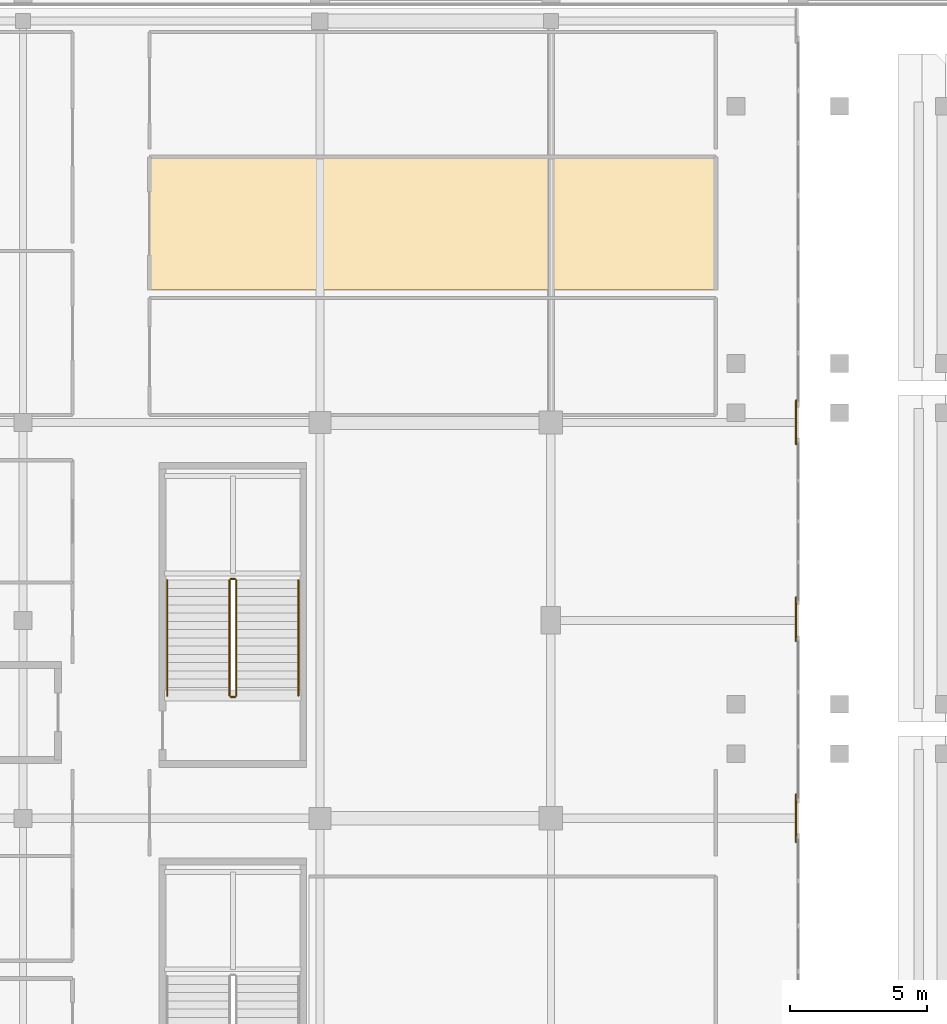
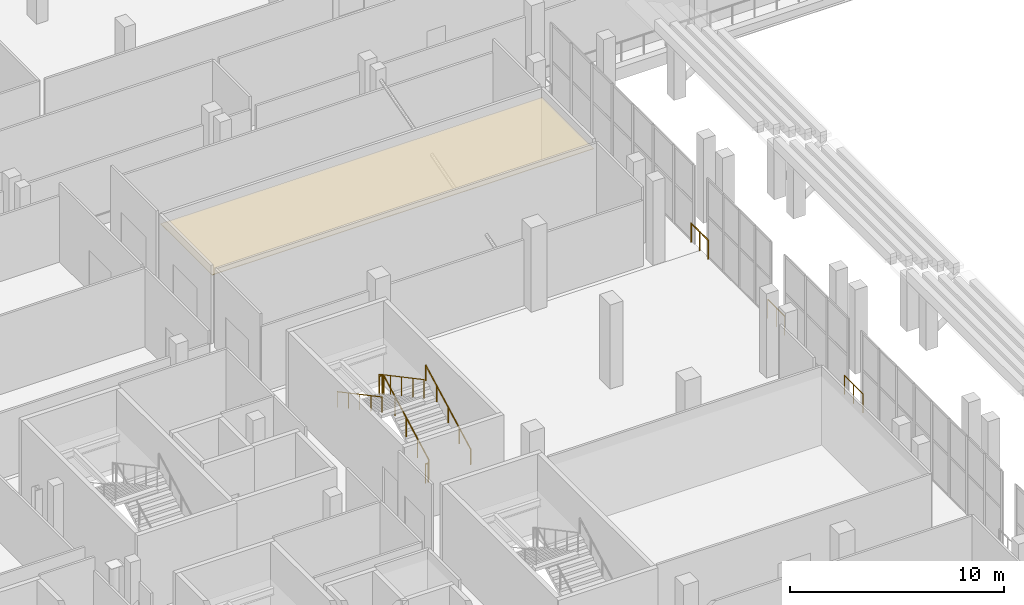
# One storey, part 125 of 142: 10 railings, 1 covering.
"""IFC4 building model written with IfcOpenShell, lengths in metres."""

from ifc_helpers import new_model, si_unit, direction, frame, origin, origin_2d, place, context, subcontext, project, spatial, polyline, circle, outline, extrude, material, layer, layer_set, type_object, element, save


model = new_model("IFC4")

# Units and contexts
model_context = context("Model", 3, precision=1e-05, world=origin(), true_north=direction((0.0, 1.0)))
body_context = subcontext(model_context, "Body", "Model", "MODEL_VIEW")
ifc_project = project(units=[si_unit("LENGTHUNIT", "METRE"), si_unit("AREAUNIT", "SQUARE_METRE"), si_unit("VOLUMEUNIT", "CUBIC_METRE"), si_unit("PLANEANGLEUNIT", "RADIAN"), si_unit("MASSUNIT", "GRAM", prefix="KILO")], contexts=[model_context])

# Site, building, storey
site_placement = place(None, origin())
site = spatial("IfcSite", under=ifc_project, at=site_placement, CompositionType="ELEMENT")
building_placement = place(site_placement, origin())
building = spatial("IfcBuilding", under=site, at=building_placement, Name="Koshinbarg Plaza Stadium", CompositionType="ELEMENT")
storey_placement = place(building_placement, frame((0.0, 0.0, 10.199951171875)))
storey = spatial("IfcBuildingStorey", under=building, at=storey_placement, Name="L02", CompositionType="ELEMENT", Elevation=10.199951171875)

# Covering
ifc_material_1 = material(Name="Perforated gypsum acoustic ceiling board")
ifc_layer = layer(ifc_material_1, 0.030029296875)
ifc_layer_set = layer_set([ifc_layer], Name="Perforated gypsum acoustic ceiling board")
covering_type = type_object("IfcCoveringType", Name="COV-CEIL-01", PredefinedType="CEILING", material=ifc_layer_set)
covering_placement = place(storey_placement, frame((0.0, 0.0, 3.89013671875)))
element("IfcCovering", 1, at=covering_placement, inside=storey, type_object=covering_type, Name="L02 VIP Hospitality Suite acoustic ceiling 024", PredefinedType="CEILING", context=body_context, shape_type="SweptSolid", body=[
    extrude(outline(polyline([(40.0, 116.72509765625), (60.60009765625, 116.72509765625), (60.60009765625, 121.5498046875), (40.0, 121.5498046875), (40.0, 116.72509765625)])), origin(), (0.0, 0.0, 1.0), 0.030029296875),
])

# Railings
ifc_material_2 = material(Name="Toughened laminated glass and stainless steel sightline balustrade", Category="steel")
railing_type_1 = type_object("IfcRailingType", Name="RL-BOWL-1100", PredefinedType="BALUSTRADE", material=ifc_material_2)
railing_1_placement = place(storey_placement, frame((63.52001953125, 111.89990234375, 0.0)))
element("IfcRailing", 2, at=railing_1_placement, inside=storey, type_object=railing_type_1, Name="L02 deck edge safety balustrade 0122", PredefinedType="BALUSTRADE", context=body_context, shape_type="SweptSolid", body=[
    extrude(circle(Radius=0.02392578125, at=origin_2d()), frame((0.0, 0.0, 1.076171875), z_axis=(0.0, -1.0, 0.0), x_axis=(1.0, 0.0, 0.0)), (0.0, 0.0, 1.0), 0.796875),
    extrude(circle(Radius=0.02099609375, at=origin_2d()), origin(), (0.0, 0.0, 1.0), 1.052001953125),
    extrude(circle(Radius=0.02099609375, at=origin_2d()), frame((0.0, -0.796875, 0.0)), (0.0, 0.0, 1.0), 1.052001953125),
])
railing_2_placement = place(storey_placement, frame((63.52001953125, 105.5341796875, 0.0)))
element("IfcRailing", 3, at=railing_2_placement, inside=storey, type_object=railing_type_1, Name="L02 deck edge safety balustrade 0123", PredefinedType="BALUSTRADE", context=body_context, shape_type="SweptSolid", body=[
    extrude(circle(Radius=0.02392578125, at=origin_2d()), frame((0.0, 0.0, 1.076171875), z_axis=(0.0, -1.0, 0.0), x_axis=(1.0, 0.0, 0.0)), (0.0, 0.0, 1.0), 1.59375),
    extrude(circle(Radius=0.02099609375, at=origin_2d()), origin(), (0.0, 0.0, 1.0), 1.052001953125),
    extrude(circle(Radius=0.02099609375, at=origin_2d()), frame((0.0, -0.796875, 0.0)), (0.0, 0.0, 1.0), 1.052001953125),
    extrude(circle(Radius=0.02099609375, at=origin_2d()), frame((0.0, -1.59375, 0.0)), (0.0, 0.0, 1.0), 1.052001953125),
])
railing_3_placement = place(storey_placement, frame((63.52001953125, 98.37158203125, 0.0)))
element("IfcRailing", 4, at=railing_3_placement, inside=storey, type_object=railing_type_1, Name="L02 deck edge safety balustrade 0124", PredefinedType="BALUSTRADE", context=body_context, shape_type="SweptSolid", body=[
    extrude(circle(Radius=0.02392578125, at=origin_2d()), frame((0.0, 0.0, 1.076171875), z_axis=(0.0, -1.0, 0.0), x_axis=(1.0, 0.0, 0.0)), (0.0, 0.0, 1.0), 1.7431640625),
    extrude(circle(Radius=0.02099609375, at=origin_2d()), origin(), (0.0, 0.0, 1.0), 1.052001953125),
    extrude(circle(Radius=0.02099609375, at=origin_2d()), frame((0.0, -0.87158203125, 0.0)), (0.0, 0.0, 1.0), 1.052001953125),
    extrude(circle(Radius=0.02099609375, at=origin_2d()), frame((0.0, -1.7431640625, 0.0)), (0.0, 0.0, 1.0), 1.052001953125),
])
railing_4_placement = place(storey_placement, frame((63.52001953125, 112.6962890625, 0.0)))
element("IfcRailing", 5, at=railing_4_placement, inside=storey, type_object=railing_type_1, Name="L02 deck edge safety balustrade 0127", PredefinedType="BALUSTRADE", context=body_context, shape_type="SweptSolid", body=[
    extrude(circle(Radius=0.02392578125, at=origin_2d()), frame((0.0, 0.0, 1.076171875), z_axis=(0.0, -1.0, 0.0), x_axis=(1.0, 0.0, 0.0)), (0.0, 0.0, 1.0), 0.79638671875),
    extrude(circle(Radius=0.02099609375, at=origin_2d()), origin(), (0.0, 0.0, 1.0), 1.052001953125),
    extrude(circle(Radius=0.02099609375, at=origin_2d()), frame((0.0, -0.79638671875, 0.0)), (0.0, 0.0, 1.0), 1.052001953125),
])
ifc_material_3 = material(Name="Galvanized painted steel guardrail", Category="steel")
railing_type_2 = type_object("IfcRailingType", Name="RL-GUARD-1100", PredefinedType="GUARDRAIL", material=ifc_material_3)
railing_5_placement = place(storey_placement, frame((43.159912109375, 101.9599609375, 0.16015625)))
element("IfcRailing", 6, at=railing_5_placement, inside=storey, type_object=railing_type_2, Name="L02 VX06 stair guard 1", PredefinedType="GUARDRAIL", context=body_context, shape_type="SweptSolid", body=[
    extrude(circle(Radius=0.02392578125, at=origin_2d()), frame((0.0, 0.0, 1.076171875), z_axis=(0.0, 0.882351521365, 0.470590897432), x_axis=(-1.0, 0.0, 0.0)), (0.0, 0.0, 1.0), 4.760009765625),
    extrude(circle(Radius=0.02099609375, at=origin_2d()), origin(), (0.0, 0.0, 1.0), 1.052001953125),
    extrude(circle(Radius=0.02099609375, at=origin_2d()), frame((0.0, 1.050048828125, 0.56005859375)), (0.0, 0.0, 1.0), 1.052001953125),
    extrude(circle(Radius=0.02099609375, at=origin_2d()), frame((0.0, 2.10009765625, 1.1201171875)), (0.0, 0.0, 1.0), 1.052001953125),
    extrude(circle(Radius=0.02099609375, at=origin_2d()), frame((0.0, 3.14990234375, 1.679931640625)), (0.0, 0.0, 1.0), 1.052001953125),
    extrude(circle(Radius=0.02099609375, at=origin_2d()), frame((0.0, 4.199951171875, 2.239990234375)), (0.0, 0.0, 1.0), 1.052001953125),
])
railing_6_placement = place(storey_placement, frame((43.110107421875, 106.2099609375, 2.400146484375)))
element("IfcRailing", 7, at=railing_6_placement, inside=storey, type_object=railing_type_2, Name="L02 VX06 stair guard 2", PredefinedType="GUARDRAIL", context=body_context, shape_type="SweptSolid", body=[
    extrude(circle(Radius=0.02392578125, at=origin_2d()), frame((0.0, 0.0, 1.076171875), z_axis=(-1.0, 0.0, 0.0), x_axis=(0.0, -1.0, 0.0)), (0.0, 0.0, 1.0), 0.150146484375),
    extrude(circle(Radius=0.02099609375, at=origin_2d()), origin(), (0.0, 0.0, 1.0), 1.052001953125),
    extrude(circle(Radius=0.02099609375, at=origin_2d()), frame((-0.150146484375, 0.0, 0.0)), (0.0, 0.0, 1.0), 1.052001953125),
])
railing_7_placement = place(storey_placement, frame((42.909912109375, 106.159912109375, 2.56005859375)))
element("IfcRailing", 8, at=railing_7_placement, inside=storey, type_object=railing_type_2, Name="L02 VX06 stair guard 3", PredefinedType="GUARDRAIL", context=body_context, shape_type="SweptSolid", body=[
    extrude(circle(Radius=0.02392578125, at=origin_2d()), frame((0.0, 0.0, 1.076171875), z_axis=(0.0, -0.882351521365, 0.470590897432), x_axis=(1.0, 0.0, 0.0)), (0.0, 0.0, 1.0), 4.760009765625),
    extrude(circle(Radius=0.02099609375, at=origin_2d()), origin(), (0.0, 0.0, 1.0), 1.052001953125),
    extrude(circle(Radius=0.02099609375, at=origin_2d()), frame((0.0, -1.050048828125, 0.56005859375)), (0.0, 0.0, 1.0), 1.052001953125),
    extrude(circle(Radius=0.02099609375, at=origin_2d()), frame((0.0, -2.10009765625, 1.1201171875)), (0.0, 0.0, 1.0), 1.052001953125),
    extrude(circle(Radius=0.02099609375, at=origin_2d()), frame((0.0, -3.14990234375, 1.679931640625)), (0.0, 0.0, 1.0), 1.052001953125),
    extrude(circle(Radius=0.02099609375, at=origin_2d()), frame((0.0, -4.199951171875, 2.239990234375)), (0.0, 0.0, 1.0), 1.052001953125),
])
railing_8_placement = place(storey_placement, frame((43.110107421875, 101.909912109375, 0.0)))
element("IfcRailing", 9, at=railing_8_placement, inside=storey, type_object=railing_type_2, Name="L02 VX06 stair guard 4", PredefinedType="GUARDRAIL", context=body_context, shape_type="SweptSolid", body=[
    extrude(circle(Radius=0.02392578125, at=origin_2d()), frame((0.0, 0.0, 1.076171875), z_axis=(-1.0, 0.0, 0.0), x_axis=(0.0, -1.0, 0.0)), (0.0, 0.0, 1.0), 0.150146484375),
    extrude(circle(Radius=0.02099609375, at=origin_2d()), origin(), (0.0, 0.0, 1.0), 1.052001953125),
    extrude(circle(Radius=0.02099609375, at=origin_2d()), frame((-0.150146484375, 0.0, 0.0)), (0.0, 0.0, 1.0), 1.052001953125),
])
ifc_material_4 = material(Name="Brushed stainless steel handrail", Category="steel")
railing_type_3 = type_object("IfcRailingType", Name="RL-HAND-900", PredefinedType="HANDRAIL", material=ifc_material_4)
railing_9_placement = place(storey_placement, frame((45.419921875, 101.9599609375, 0.16015625)))
element("IfcRailing", 10, at=railing_9_placement, inside=storey, type_object=railing_type_3, Name="L02 VX06 stair handrail 1", PredefinedType="HANDRAIL", context=body_context, shape_type="SweptSolid", body=[
    extrude(circle(Radius=0.02392578125, at=origin_2d()), frame((0.0, 0.0, 0.8759765625), z_axis=(0.0, 0.882351521365, 0.470590897432), x_axis=(-1.0, 0.0, 0.0)), (0.0, 0.0, 1.0), 4.760009765625),
    extrude(circle(Radius=0.02099609375, at=origin_2d()), origin(), (0.0, 0.0, 1.0), 0.851806640625),
    extrude(circle(Radius=0.02099609375, at=origin_2d()), frame((0.0, 1.050048828125, 0.56005859375)), (0.0, 0.0, 1.0), 0.851806640625),
    extrude(circle(Radius=0.02099609375, at=origin_2d()), frame((0.0, 2.10009765625, 1.1201171875)), (0.0, 0.0, 1.0), 0.851806640625),
    extrude(circle(Radius=0.02099609375, at=origin_2d()), frame((0.0, 3.14990234375, 1.679931640625)), (0.0, 0.0, 1.0), 0.851806640625),
    extrude(circle(Radius=0.02099609375, at=origin_2d()), frame((0.0, 4.199951171875, 2.239990234375)), (0.0, 0.0, 1.0), 0.851806640625),
])
railing_10_placement = place(storey_placement, frame((40.64990234375, 106.159912109375, 2.56005859375)))
element("IfcRailing", 11, at=railing_10_placement, inside=storey, type_object=railing_type_3, Name="L02 VX06 stair handrail 2", PredefinedType="HANDRAIL", context=body_context, shape_type="SweptSolid", body=[
    extrude(circle(Radius=0.02392578125, at=origin_2d()), frame((0.0, 0.0, 0.8759765625), z_axis=(0.0, -0.882351521365, 0.470590897432), x_axis=(1.0, 0.0, 0.0)), (0.0, 0.0, 1.0), 4.760009765625),
    extrude(circle(Radius=0.02099609375, at=origin_2d()), origin(), (0.0, 0.0, 1.0), 0.851806640625),
    extrude(circle(Radius=0.02099609375, at=origin_2d()), frame((0.0, -1.050048828125, 0.56005859375)), (0.0, 0.0, 1.0), 0.851806640625),
    extrude(circle(Radius=0.02099609375, at=origin_2d()), frame((0.0, -2.10009765625, 1.1201171875)), (0.0, 0.0, 1.0), 0.851806640625),
    extrude(circle(Radius=0.02099609375, at=origin_2d()), frame((0.0, -3.14990234375, 1.679931640625)), (0.0, 0.0, 1.0), 0.851806640625),
    extrude(circle(Radius=0.02099609375, at=origin_2d()), frame((0.0, -4.199951171875, 2.239990234375)), (0.0, 0.0, 1.0), 0.851806640625),
])

save(model, "model.ifc")
